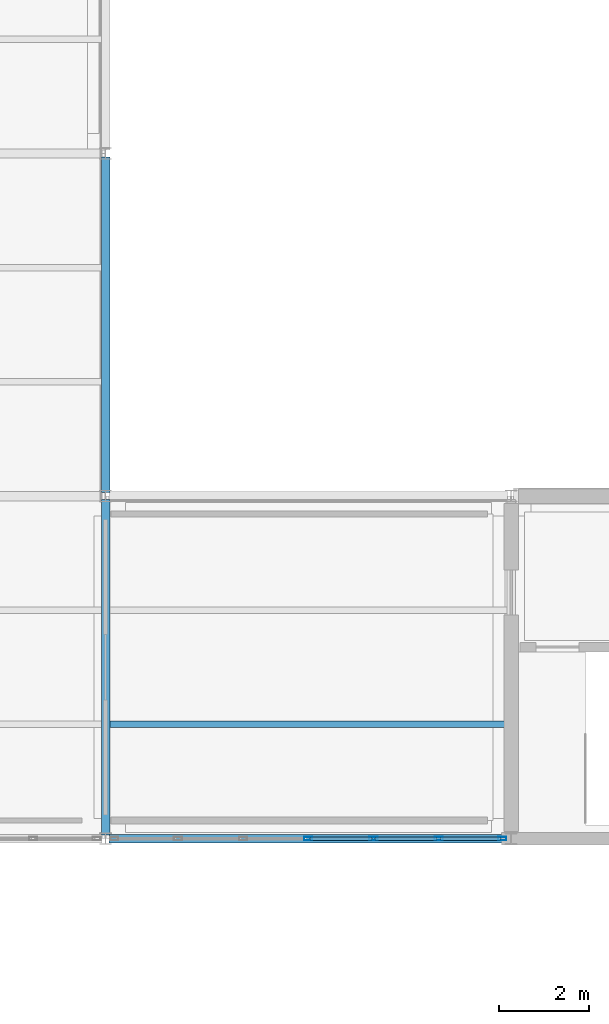
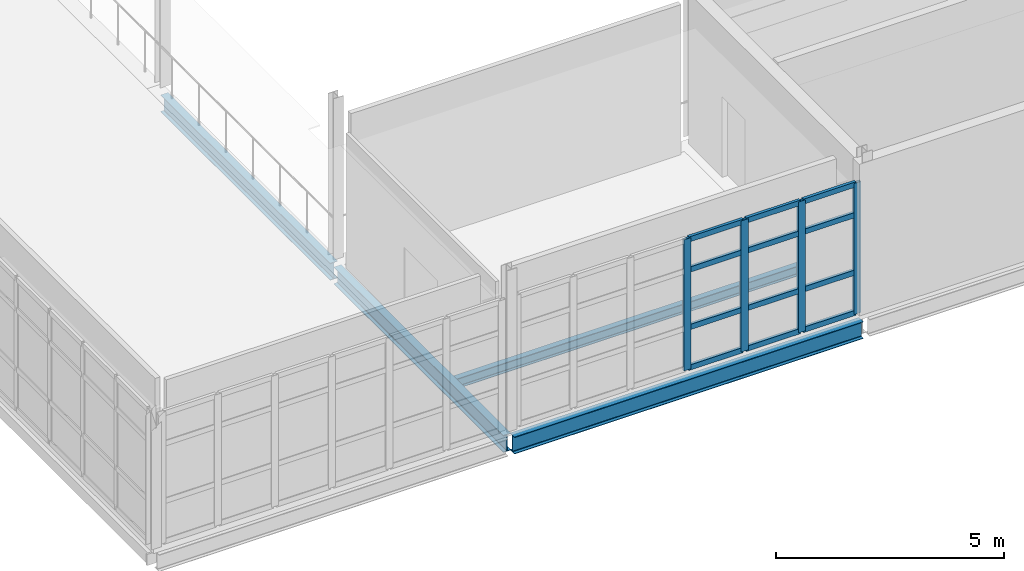
# One storey, part 17 of 48: 16 members, 4 beams, 1 element without a shape of its own.
"""IFC4 building model written with IfcOpenShell, lengths in metres."""

from ifc_helpers import new_model, si_unit, direction, frame, origin, origin_2d, place, context, subcontext, project, spatial, hollow_rectangle, i_section, extrude, material, material_profile, profile_set, type_object, element, aggregate, save


model = new_model("IFC4")

# Units and contexts
model_context = context("Model", 3, precision=1e-05, world=origin(), true_north=direction((0.0, 1.0)))
body_context = subcontext(model_context, "Body", "Model", "MODEL_VIEW")
ifc_project = project(units=[si_unit("LENGTHUNIT", "METRE"), si_unit("AREAUNIT", "SQUARE_METRE"), si_unit("VOLUMEUNIT", "CUBIC_METRE"), si_unit("PLANEANGLEUNIT", "RADIAN"), si_unit("MASSUNIT", "GRAM", prefix="KILO")], contexts=[model_context])

# Site, building, storey
site_placement = place(None, origin())
site = spatial("IfcSite", under=ifc_project, at=site_placement, CompositionType="ELEMENT")
building_placement = place(site_placement, origin())
building = spatial("IfcBuilding", under=site, at=building_placement, Name="Caisbarro Railhouse Central Library", CompositionType="ELEMENT")
storey_placement = place(building_placement, frame((0.0, 0.0, 18.0)))
storey = spatial("IfcBuildingStorey", under=building, at=storey_placement, Name="L04", CompositionType="ELEMENT", Elevation=18.0)

# Beams
ifc_material_1 = material(Name="Steel ASTM A572 Grade 50", Category="steel")
ifc_material_profile_1 = material_profile(ifc_material_1, i_section(OverallWidth=0.18994140625, OverallDepth=0.45703125, WebThickness=0.009033203125, FlangeThickness=0.014404296875, FilletRadius=0.01806640625, at=origin_2d()), Name="W460X74.0")
ifc_profile_set_1 = profile_set([ifc_material_profile_1], Name="Steel ASTM A572 Grade 50")
beam_type_1 = type_object("IfcBeamType", Name="BM-G08", PredefinedType="BEAM", material=ifc_profile_set_1)
for number, where, z_axis, x_axis, name in (
    (1, (126.0, 68.47998046875, -0.448486328125), (0.0, 1.0, 0.0), (-1.0, 0.0, 0.0), "G08 beam L04 #2100"),
    (2, (126.0, 76.080078125, -0.448486328125), (0.0, 1.0, 0.0), (-1.0, 0.0, 0.0), "G08 beam L04 #2101"),
):
    element("IfcBeam", number, at=place(storey_placement, frame(where, z_axis=z_axis, x_axis=x_axis)), inside=storey, type_object=beam_type_1, Name=name, PredefinedType="BEAM", context=body_context, shape_type="SweptSolid", body=[
        extrude(i_section(OverallWidth=0.18994140625, OverallDepth=0.45703125, WebThickness=0.009033203125, FlangeThickness=0.014404296875, FilletRadius=0.01806640625, at=origin_2d()), origin(), (0.0, 0.0, 1.0), 7.43994140625),
    ])
ifc_material_profile_2 = material_profile(ifc_material_1, i_section(OverallWidth=0.14794921875, OverallDepth=0.26611328125, WebThickness=0.007568359375, FlangeThickness=0.012939453125, FilletRadius=0.010009765625, at=origin_2d()), Name="W250X44.8")
ifc_profile_set_2 = profile_set([ifc_material_profile_2], Name="Steel ASTM A572 Grade 50")
beam_type_2 = type_object("IfcBeamType", Name="BM-J04", PredefinedType="JOIST", material=ifc_profile_set_2)
beam_1_placement = place(storey_placement, frame((126.094970703125, 70.933349609375, -0.35302734375), z_axis=(1.0, 0.0, 0.0), x_axis=(0.0, 1.0, 0.0)))
element("IfcBeam", 3, at=beam_1_placement, inside=storey, type_object=beam_type_2, Name="J04 beam L04 #2128", PredefinedType="JOIST", context=body_context, shape_type="SweptSolid", body=[
    extrude(i_section(OverallWidth=0.14794921875, OverallDepth=0.26611328125, WebThickness=0.007568359375, FlangeThickness=0.012939453125, FilletRadius=0.010009765625, at=origin_2d()), origin(), (0.0, 0.0, 1.0), 8.81005859375),
])
ifc_material_profile_3 = material_profile(ifc_material_1, i_section(OverallWidth=0.18994140625, OverallDepth=0.45703125, WebThickness=0.009033203125, FlangeThickness=0.014404296875, FilletRadius=0.01806640625, at=origin_2d()), Name="W460X74.0")
ifc_profile_set_3 = profile_set([ifc_material_profile_3], Name="Steel ASTM A572 Grade 50")
beam_type_3 = type_object("IfcBeamType", Name="BM-SP01", PredefinedType="SPANDREL", material=ifc_profile_set_3)
beam_2_placement = place(storey_placement, frame((126.080078125, 68.39990234375, -0.448486328125), z_axis=(1.0, 0.0, 0.0), x_axis=(0.0, 1.0, 0.0)))
element("IfcBeam", 4, at=beam_2_placement, inside=storey, type_object=beam_type_3, Name="SP01 beam L04 #2076", PredefinedType="SPANDREL", context=body_context, shape_type="SweptSolid", body=[
    extrude(i_section(OverallWidth=0.18994140625, OverallDepth=0.45703125, WebThickness=0.009033203125, FlangeThickness=0.014404296875, FilletRadius=0.01806640625, at=origin_2d()), origin(), (0.0, 0.0, 1.0), 8.83984375),
])

# Curtain wall, members
ifc_material_2 = material(Name="Anodised architectural aluminium", Category="aluminium")
curtain_wall_type = type_object("IfcCurtainWallType", Name="CW-CW02", PredefinedType="NOTDEFINED", material=ifc_material_2)
curtain_wall_placement = place(storey_placement, origin())
curtain_wall = element("IfcCurtainWall", 5, at=curtain_wall_placement, inside=storey, type_object=curtain_wall_type, Name="CW02 curtain wall L04 #162", PredefinedType="NOTDEFINED")
ifc_material_profile_4 = material_profile(ifc_material_2, hollow_rectangle(XDim=0.074951171875, YDim=0.179931640625, WallThickness=0.00439453125, at=origin_2d()), Name="ALU-MUL-75X180")
ifc_profile_set_4 = profile_set([ifc_material_profile_4], Name="Anodised architectural aluminium")
member_type_1 = type_object("IfcMemberType", Name="CWM-M01", PredefinedType="MULLION", material=ifc_profile_set_4)
member_1_placement = place(storey_placement, frame((130.5, 68.39990234375, 0.0), z_axis=(0.0, 0.0, 1.0), x_axis=(0.0, 1.0, 0.0)))
member_1 = element("IfcMember", 6, at=member_1_placement, type_object=member_type_1, Name="CW02 mullion 4", PredefinedType="MULLION", context=body_context, shape_type="SweptSolid", body=[
    extrude(hollow_rectangle(XDim=0.074951171875, YDim=0.179931640625, WallThickness=0.00439453125, at=origin_2d()), origin(), (0.0, 0.0, 1.0), 3.510009765625),
])
member_2_placement = place(storey_placement, frame((131.94677734375, 68.39990234375, 0.0), z_axis=(0.0, 0.0, 1.0), x_axis=(0.0, 1.0, 0.0)))
member_2 = element("IfcMember", 7, at=member_2_placement, type_object=member_type_1, Name="CW02 mullion 5", PredefinedType="MULLION", context=body_context, shape_type="SweptSolid", body=[
    extrude(hollow_rectangle(XDim=0.074951171875, YDim=0.179931640625, WallThickness=0.00439453125, at=origin_2d()), origin(), (0.0, 0.0, 1.0), 3.510009765625),
])
member_3_placement = place(storey_placement, frame((133.393310546875, 68.39990234375, 0.0), z_axis=(0.0, 0.0, 1.0), x_axis=(0.0, 1.0, 0.0)))
member_3 = element("IfcMember", 8, at=member_3_placement, type_object=member_type_1, Name="CW02 mullion 6", PredefinedType="MULLION", context=body_context, shape_type="SweptSolid", body=[
    extrude(hollow_rectangle(XDim=0.074951171875, YDim=0.179931640625, WallThickness=0.00439453125, at=origin_2d()), origin(), (0.0, 0.0, 1.0), 3.510009765625),
])
member_4_placement = place(storey_placement, frame((134.802490234375, 68.39990234375, 0.0), z_axis=(0.0, 0.0, 1.0), x_axis=(0.0, 1.0, 0.0)))
member_4 = element("IfcMember", 9, at=member_4_placement, type_object=member_type_1, Name="CW02 mullion 7", PredefinedType="MULLION", context=body_context, shape_type="SweptSolid", body=[
    extrude(hollow_rectangle(XDim=0.074951171875, YDim=0.179931640625, WallThickness=0.00439453125, at=origin_2d()), origin(), (0.0, 0.0, 1.0), 3.510009765625),
])
ifc_material_profile_5 = material_profile(ifc_material_2, hollow_rectangle(XDim=0.074951171875, YDim=0.139892578125, WallThickness=0.00390625, at=origin_2d()), Name="ALU-TRN-75X140")
ifc_profile_set_5 = profile_set([ifc_material_profile_5], Name="Anodised architectural aluminium")
member_type_2 = type_object("IfcMemberType", Name="CWT-T01", PredefinedType="USERDEFINED", material=ifc_profile_set_5)
member_5_placement = place(storey_placement, frame((130.53759765625, 68.39990234375, 0.03759765625), z_axis=(1.0, 0.0, 0.0), x_axis=(0.0, 1.0, 0.0)))
member_5 = element("IfcMember", 10, at=member_5_placement, type_object=member_type_2, Name="CW02 transom 4.1", ObjectType="TRANSOM", PredefinedType="USERDEFINED", context=body_context, shape_type="SweptSolid", body=[
    extrude(hollow_rectangle(XDim=0.074951171875, YDim=0.139892578125, WallThickness=0.00390625, at=origin_2d()), origin(), (0.0, 0.0, 1.0), 1.37158203125),
])
member_6_placement = place(storey_placement, frame((130.53759765625, 68.39990234375, 1.1201171875), z_axis=(1.0, 0.0, 0.0), x_axis=(0.0, 1.0, 0.0)))
member_6 = element("IfcMember", 11, at=member_6_placement, type_object=member_type_2, Name="CW02 transom 4.2", ObjectType="TRANSOM", PredefinedType="USERDEFINED", context=body_context, shape_type="SweptSolid", body=[
    extrude(hollow_rectangle(XDim=0.074951171875, YDim=0.139892578125, WallThickness=0.00390625, at=origin_2d()), origin(), (0.0, 0.0, 1.0), 1.37158203125),
])
member_7_placement = place(storey_placement, frame((130.53759765625, 68.39990234375, 2.659912109375), z_axis=(1.0, 0.0, 0.0), x_axis=(0.0, 1.0, 0.0)))
member_7 = element("IfcMember", 12, at=member_7_placement, type_object=member_type_2, Name="CW02 transom 4.3", ObjectType="TRANSOM", PredefinedType="USERDEFINED", context=body_context, shape_type="SweptSolid", body=[
    extrude(hollow_rectangle(XDim=0.074951171875, YDim=0.139892578125, WallThickness=0.00390625, at=origin_2d()), origin(), (0.0, 0.0, 1.0), 1.37158203125),
])
member_8_placement = place(storey_placement, frame((130.53759765625, 68.39990234375, 3.472412109375), z_axis=(1.0, 0.0, 0.0), x_axis=(0.0, 1.0, 0.0)))
member_8 = element("IfcMember", 13, at=member_8_placement, type_object=member_type_2, Name="CW02 transom 4.4", ObjectType="TRANSOM", PredefinedType="USERDEFINED", context=body_context, shape_type="SweptSolid", body=[
    extrude(hollow_rectangle(XDim=0.074951171875, YDim=0.139892578125, WallThickness=0.00390625, at=origin_2d()), origin(), (0.0, 0.0, 1.0), 1.37158203125),
])
member_9_placement = place(storey_placement, frame((131.984130859375, 68.39990234375, 0.03759765625), z_axis=(1.0, 0.0, 0.0), x_axis=(0.0, 1.0, 0.0)))
member_9 = element("IfcMember", 14, at=member_9_placement, type_object=member_type_2, Name="CW02 transom 5.1", ObjectType="TRANSOM", PredefinedType="USERDEFINED", context=body_context, shape_type="SweptSolid", body=[
    extrude(hollow_rectangle(XDim=0.074951171875, YDim=0.139892578125, WallThickness=0.00390625, at=origin_2d()), origin(), (0.0, 0.0, 1.0), 1.37158203125),
])
member_10_placement = place(storey_placement, frame((131.984130859375, 68.39990234375, 1.1201171875), z_axis=(1.0, 0.0, 0.0), x_axis=(0.0, 1.0, 0.0)))
member_10 = element("IfcMember", 15, at=member_10_placement, type_object=member_type_2, Name="CW02 transom 5.2", ObjectType="TRANSOM", PredefinedType="USERDEFINED", context=body_context, shape_type="SweptSolid", body=[
    extrude(hollow_rectangle(XDim=0.074951171875, YDim=0.139892578125, WallThickness=0.00390625, at=origin_2d()), origin(), (0.0, 0.0, 1.0), 1.37158203125),
])
member_11_placement = place(storey_placement, frame((131.984130859375, 68.39990234375, 2.659912109375), z_axis=(1.0, 0.0, 0.0), x_axis=(0.0, 1.0, 0.0)))
member_11 = element("IfcMember", 16, at=member_11_placement, type_object=member_type_2, Name="CW02 transom 5.3", ObjectType="TRANSOM", PredefinedType="USERDEFINED", context=body_context, shape_type="SweptSolid", body=[
    extrude(hollow_rectangle(XDim=0.074951171875, YDim=0.139892578125, WallThickness=0.00390625, at=origin_2d()), origin(), (0.0, 0.0, 1.0), 1.37158203125),
])
member_12_placement = place(storey_placement, frame((131.984130859375, 68.39990234375, 3.472412109375), z_axis=(1.0, 0.0, 0.0), x_axis=(0.0, 1.0, 0.0)))
member_12 = element("IfcMember", 17, at=member_12_placement, type_object=member_type_2, Name="CW02 transom 5.4", ObjectType="TRANSOM", PredefinedType="USERDEFINED", context=body_context, shape_type="SweptSolid", body=[
    extrude(hollow_rectangle(XDim=0.074951171875, YDim=0.139892578125, WallThickness=0.00390625, at=origin_2d()), origin(), (0.0, 0.0, 1.0), 1.37158203125),
])
member_13_placement = place(storey_placement, frame((133.430908203125, 68.39990234375, 0.03759765625), z_axis=(1.0, 0.0, 0.0), x_axis=(0.0, 1.0, 0.0)))
member_13 = element("IfcMember", 18, at=member_13_placement, type_object=member_type_2, Name="CW02 transom 6.1", ObjectType="TRANSOM", PredefinedType="USERDEFINED", context=body_context, shape_type="SweptSolid", body=[
    extrude(hollow_rectangle(XDim=0.074951171875, YDim=0.139892578125, WallThickness=0.00390625, at=origin_2d()), origin(), (0.0, 0.0, 1.0), 1.333984375),
])
member_14_placement = place(storey_placement, frame((133.430908203125, 68.39990234375, 1.1201171875), z_axis=(1.0, 0.0, 0.0), x_axis=(0.0, 1.0, 0.0)))
member_14 = element("IfcMember", 19, at=member_14_placement, type_object=member_type_2, Name="CW02 transom 6.2", ObjectType="TRANSOM", PredefinedType="USERDEFINED", context=body_context, shape_type="SweptSolid", body=[
    extrude(hollow_rectangle(XDim=0.074951171875, YDim=0.139892578125, WallThickness=0.00390625, at=origin_2d()), origin(), (0.0, 0.0, 1.0), 1.333984375),
])
member_15_placement = place(storey_placement, frame((133.430908203125, 68.39990234375, 2.659912109375), z_axis=(1.0, 0.0, 0.0), x_axis=(0.0, 1.0, 0.0)))
member_15 = element("IfcMember", 20, at=member_15_placement, type_object=member_type_2, Name="CW02 transom 6.3", ObjectType="TRANSOM", PredefinedType="USERDEFINED", context=body_context, shape_type="SweptSolid", body=[
    extrude(hollow_rectangle(XDim=0.074951171875, YDim=0.139892578125, WallThickness=0.00390625, at=origin_2d()), origin(), (0.0, 0.0, 1.0), 1.333984375),
])
member_16_placement = place(storey_placement, frame((133.430908203125, 68.39990234375, 3.472412109375), z_axis=(1.0, 0.0, 0.0), x_axis=(0.0, 1.0, 0.0)))
member_16 = element("IfcMember", 21, at=member_16_placement, type_object=member_type_2, Name="CW02 transom 6.4", ObjectType="TRANSOM", PredefinedType="USERDEFINED", context=body_context, shape_type="SweptSolid", body=[
    extrude(hollow_rectangle(XDim=0.074951171875, YDim=0.139892578125, WallThickness=0.00390625, at=origin_2d()), origin(), (0.0, 0.0, 1.0), 1.333984375),
])
aggregate(curtain_wall, [member_1, member_2, member_3, member_4, member_5, member_6, member_7, member_8, member_9, member_10, member_11, member_12, member_13, member_14, member_15, member_16])

save(model, "model.ifc")
